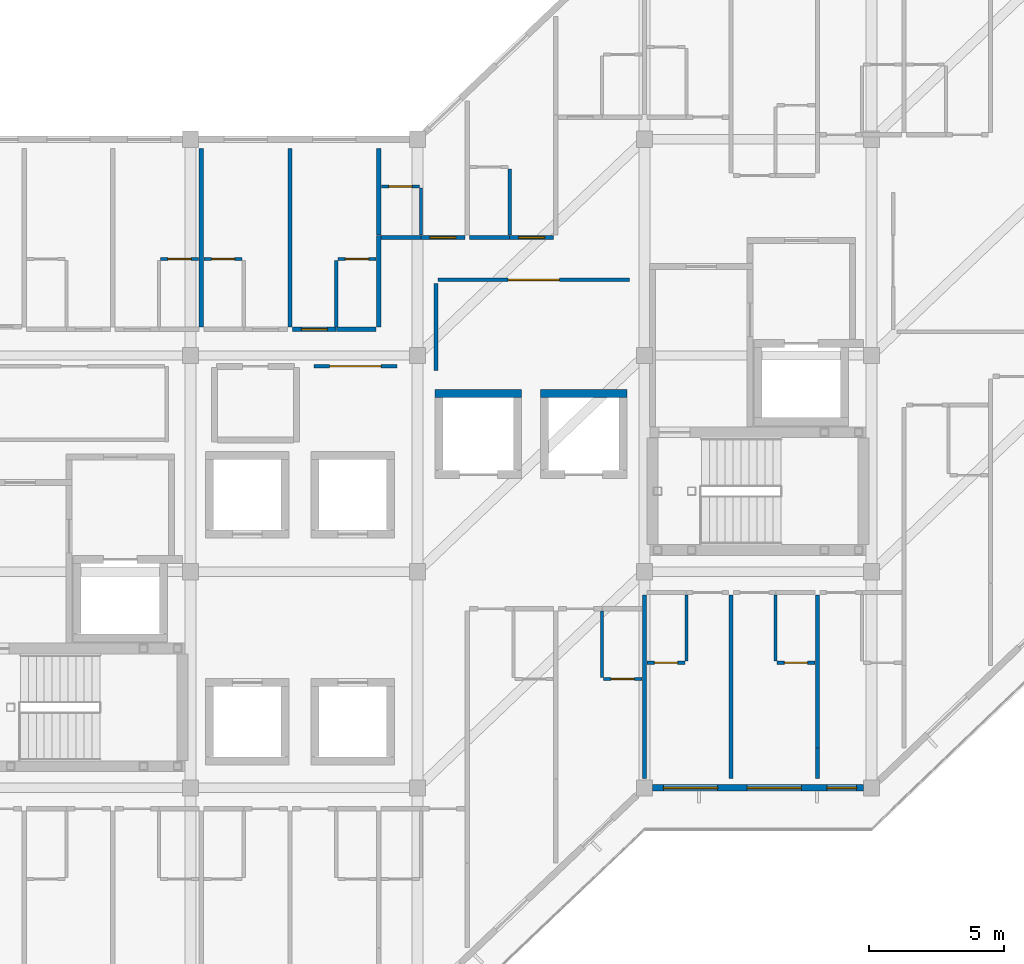
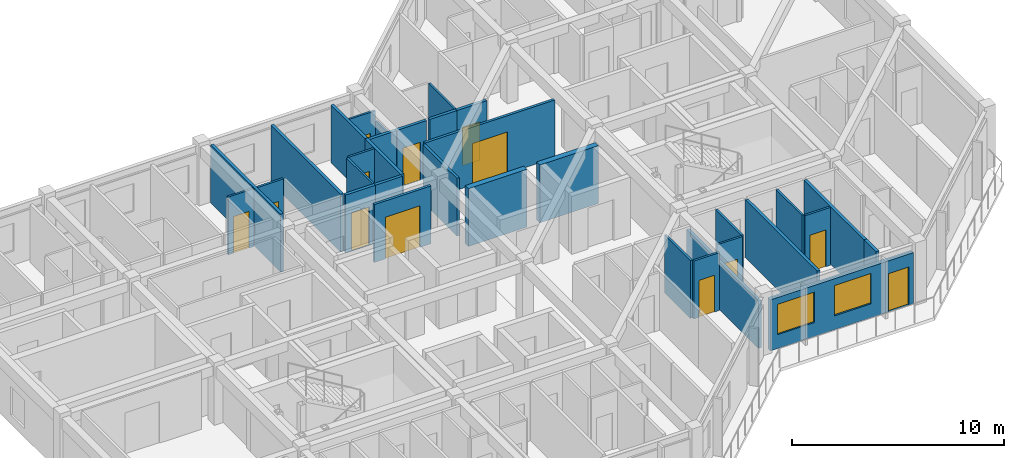
# One storey, part 8 of 14: 33 walls, 13 doors, 2 windows, 15 openings.
"""IFC4 building model written with IfcOpenShell, lengths in metres."""

from ifc_helpers import new_model, si_unit, direction, frame, frame_2d, origin, place, context, subcontext, project, spatial, rectangle, extrude, material, layer, layer_set, type_object, element, fill, save


model = new_model("IFC4")

# Units and contexts
model_context = context("Model", 3, precision=1e-05, world=origin(), true_north=direction((0.0, 1.0)))
body_context = subcontext(model_context, "Body", "Model", "MODEL_VIEW")
ifc_project = project(units=[si_unit("LENGTHUNIT", "METRE"), si_unit("AREAUNIT", "SQUARE_METRE"), si_unit("VOLUMEUNIT", "CUBIC_METRE"), si_unit("PLANEANGLEUNIT", "RADIAN"), si_unit("MASSUNIT", "GRAM", prefix="KILO")], contexts=[model_context])

# Site, building, storey
site_placement = place(None, origin())
site = spatial("IfcSite", under=ifc_project, at=site_placement, CompositionType="ELEMENT")
building_placement = place(site_placement, origin())
building = spatial("IfcBuilding", under=site, at=building_placement, Name="Naruveol Harbour Congress Hotel", CompositionType="ELEMENT")
storey_placement = place(building_placement, frame((0.0, 0.0, 39.60009765625)))
storey = spatial("IfcBuildingStorey", under=building, at=storey_placement, Name="L09", CompositionType="ELEMENT", Elevation=39.60009765625)

# Wall, opening, door
ifc_material_1 = material(Name="Acoustic Double Stud Gypsum", Category="gypsum")
ifc_layer_1 = layer(ifc_material_1, 0.139892578125)
ifc_layer_set_1 = layer_set([ifc_layer_1], Name="Acoustic Double Stud Gypsum")
wall_type_1 = type_object("IfcWallType", Name="ACOUSTIC MEETING PARTITION WALL 140", PredefinedType="PARTITIONING", material=ifc_layer_set_1)
wall_1_placement = place(storey_placement, frame((138.9599609375, 23.60009765625, 0.0), z_axis=(0.0, 0.0, 1.0), x_axis=(1.0, 0.0, 0.0)))
wall_1 = element("IfcWall", 1, at=wall_1_placement, inside=storey, type_object=wall_type_1, Name="Library Reading Lounge north entry wall PW-140", PredefinedType="PARTITIONING", context=body_context, shape_type="SweptSolid", body=[
    extrude(rectangle(XDim=3.080078125, YDim=0.139892578125, at=frame_2d((1.5400390625, 0.0))), origin(), (0.0, 0.0, 1.0), 3.3349609375),
])
opening_1_placement = place(wall_1_placement, frame((0.590087890625, 0.0, 0.0)))
opening_1 = element("IfcOpeningElement", 2, at=opening_1_placement, cuts=wall_1, Name="Opening ID-LG-128", PredefinedType="OPENING", context=body_context, shape_type="SweptSolid", body=[
    extrude(rectangle(XDim=1.89990234375, YDim=2.39990234375, at=frame_2d((0.949951171875, 1.199951171875))), frame((0.0, 0.079833984375, 0.0), z_axis=(0.0, -1.0, 0.0), x_axis=(1.0, 0.0, 0.0)), (0.0, 0.0, 1.0), 0.159912109375),
])
ifc_material_2 = material(Name="Timber & Steel Acoustic Leaf", Category="steel")
door_type_1 = type_object("IfcDoorType", Name="RESTAURANT AND LOUNGE GLAZED DOOR 1900X2400", OperationType="DOUBLE_DOOR_SINGLE_SWING", PredefinedType="DOOR", material=ifc_material_2)
door_1_placement = place(opening_1_placement, origin())
door_1 = element("IfcDoor", 3, at=door_1_placement, inside=storey, type_object=door_type_1, Name="Library Reading Lounge Entrance Door", OperationType="DOUBLE_DOOR_SINGLE_SWING", OverallHeight=2.39990234375, OverallWidth=1.89990234375, PredefinedType="DOOR", context=body_context, shape_type="SweptSolid", body=[
    extrude(rectangle(XDim=1.89990234375, YDim=2.39990234375, at=frame_2d((0.949951171875, 1.199951171875))), frame((0.0, 0.02490234375, 0.0), z_axis=(0.0, -1.0, 0.0), x_axis=(1.0, 0.0, 0.0)), (0.0, 0.0, 1.0), 0.050048828125),
])
fill(opening_1, door_1)

wall_2_placement = place(storey_placement, frame((143.56005859375, 26.800048828125, 0.0), z_axis=(0.0, 0.0, 1.0), x_axis=(1.0, 0.0, 0.0)))
wall_2 = element("IfcWall", 4, at=wall_2_placement, inside=storey, type_object=wall_type_1, Name="Harbour Study Salon north entry wall PW-140", PredefinedType="PARTITIONING", context=body_context, shape_type="SweptSolid", body=[
    extrude(rectangle(XDim=7.079833984375, YDim=0.139892578125, at=frame_2d((3.5400390625, 0.0))), origin(), (0.0, 0.0, 1.0), 3.3349609375),
])
opening_2_placement = place(wall_2_placement, frame((2.590087890625, 0.0, 0.0)))
opening_2 = element("IfcOpeningElement", 5, at=opening_2_placement, cuts=wall_2, Name="Opening ID-LG-131", PredefinedType="OPENING", context=body_context, shape_type="SweptSolid", body=[
    extrude(rectangle(XDim=1.89990234375, YDim=2.39990234375, at=frame_2d((0.949951171875, 1.199951171875))), frame((0.0, 0.079833984375, 0.0), z_axis=(0.0, -1.0, 0.0), x_axis=(1.0, 0.0, 0.0)), (0.0, 0.0, 1.0), 0.159912109375),
])
door_2_placement = place(opening_2_placement, origin())
door_2 = element("IfcDoor", 6, at=door_2_placement, inside=storey, type_object=door_type_1, Name="Harbour Study Salon Entrance Door", OperationType="DOUBLE_DOOR_SINGLE_SWING", OverallHeight=2.39990234375, OverallWidth=1.89990234375, PredefinedType="DOOR", context=body_context, shape_type="SweptSolid", body=[
    extrude(rectangle(XDim=1.89990234375, YDim=2.39990234375, at=frame_2d((0.949951171875, 1.199951171875))), frame((0.0, 0.02490234375, 0.0), z_axis=(0.0, -1.0, 0.0), x_axis=(1.0, 0.0, 0.0)), (0.0, 0.0, 1.0), 0.050048828125),
])
fill(opening_2, door_2)

# Wall
wall_3_placement = place(storey_placement, frame((143.47998046875, 23.449951171875, 0.0), z_axis=(0.0, 0.0, 1.0), x_axis=(0.0, 1.0, 0.0)))
element("IfcWall", 7, at=wall_3_placement, inside=storey, type_object=wall_type_1, Name="Harbour Study Salon west partition PW-140", PredefinedType="PARTITIONING", context=body_context, shape_type="SweptSolid", body=[
    extrude(rectangle(XDim=3.2099609375, YDim=0.139892578125, at=frame_2d((1.60498046875, 0.0))), origin(), (0.0, 0.0, 1.0), 3.3349609375),
])

# Wall, opening, door
ifc_material_3 = material(Name="Moisture-Resistant Gypsum Partition", Category="gypsum")
ifc_layer_2 = layer(ifc_material_3, 0.114990234375)
ifc_layer_set_2 = layer_set([ifc_layer_2], Name="Moisture-Resistant Gypsum Partition")
wall_type_2 = type_object("IfcWallType", Name="BATHROOM MOISTURE PARTITION WALL 115", PredefinedType="PARTITIONING", material=ifc_layer_set_2)
wall_4_placement = place(storey_placement, frame((133.2900390625, 27.570068359375, 0.0), z_axis=(0.0, 0.0, 1.0), x_axis=(1.0, 0.0, 0.0)))
wall_4 = element("IfcWall", 8, at=wall_4_placement, inside=storey, type_object=wall_type_2, Name="Bathroom north wall 1070 PW-115", PredefinedType="PARTITIONING", context=body_context, shape_type="SweptSolid", body=[
    extrude(rectangle(XDim=1.409912109375, YDim=0.114990234375, at=frame_2d((0.705078125, 0.0))), origin(), (0.0, 0.0, 1.0), 3.3349609375),
])
opening_3_placement = place(wall_4_placement, frame((0.27490234375, 0.0, 0.0)))
opening_3 = element("IfcOpeningElement", 9, at=opening_3_placement, cuts=wall_4, Name="Opening BD-RM1070", PredefinedType="OPENING", context=body_context, shape_type="SweptSolid", body=[
    extrude(rectangle(XDim=0.860107421875, YDim=2.1201171875, at=frame_2d((0.43017578125, 1.06005859375))), frame((0.0, 0.0673828125, 0.0), z_axis=(0.0, -1.0, 0.0), x_axis=(1.0, 0.0, 0.0)), (0.0, 0.0, 1.0), 0.135009765625),
])
ifc_material_4 = material(Name="Timber & Steel Acoustic Leaf", Category="steel")
door_type_2 = type_object("IfcDoorType", Name="GUEST BATHROOM DOOR 860X2120", OperationType="NOTDEFINED", PredefinedType="DOOR", material=ifc_material_4)
door_3_placement = place(opening_3_placement, origin())
door_3 = element("IfcDoor", 10, at=door_3_placement, inside=storey, type_object=door_type_2, Name="Bathroom Door 1070", OperationType="SINGLE_SWING_RIGHT", OverallHeight=2.1201171875, OverallWidth=0.860107421875, PredefinedType="DOOR", context=body_context, shape_type="SweptSolid", body=[
    extrude(rectangle(XDim=0.860107421875, YDim=2.1201171875, at=frame_2d((0.43017578125, 1.06005859375))), frame((0.0, 0.02490234375, 0.0), z_axis=(0.0, -1.0, 0.0), x_axis=(1.0, 0.0, 0.0)), (0.0, 0.0, 1.0), 0.050048828125),
])
fill(opening_3, door_3)

wall_5_placement = place(storey_placement, frame((134.89990234375, 27.570068359375, 0.0), z_axis=(0.0, 0.0, 1.0), x_axis=(1.0, 0.0, 0.0)))
wall_5 = element("IfcWall", 11, at=wall_5_placement, inside=storey, type_object=wall_type_2, Name="Bathroom north wall 1071 PW-115", PredefinedType="PARTITIONING", context=body_context, shape_type="SweptSolid", body=[
    extrude(rectangle(XDim=1.41015625, YDim=0.114990234375, at=frame_2d((0.705078125, 0.0))), origin(), (0.0, 0.0, 1.0), 3.3349609375),
])
opening_4_placement = place(wall_5_placement, frame((0.27490234375, 0.0, 0.0)))
opening_4 = element("IfcOpeningElement", 12, at=opening_4_placement, cuts=wall_5, Name="Opening BD-RM1071", PredefinedType="OPENING", context=body_context, shape_type="SweptSolid", body=[
    extrude(rectangle(XDim=0.860107421875, YDim=2.1201171875, at=frame_2d((0.43017578125, 1.06005859375))), frame((0.0, 0.0673828125, 0.0), z_axis=(0.0, -1.0, 0.0), x_axis=(1.0, 0.0, 0.0)), (0.0, 0.0, 1.0), 0.135009765625),
])
door_4_placement = place(opening_4_placement, origin())
door_4 = element("IfcDoor", 13, at=door_4_placement, inside=storey, type_object=door_type_2, Name="Bathroom Door 1071", OperationType="SINGLE_SWING_RIGHT", OverallHeight=2.1201171875, OverallWidth=0.860107421875, PredefinedType="DOOR", context=body_context, shape_type="SweptSolid", body=[
    extrude(rectangle(XDim=0.860107421875, YDim=2.1201171875, at=frame_2d((0.43017578125, 1.06005859375))), frame((0.0, 0.02490234375, 0.0), z_axis=(0.0, -1.0, 0.0), x_axis=(1.0, 0.0, 0.0)), (0.0, 0.0, 1.0), 0.050048828125),
])
fill(opening_4, door_4)

# Wall
wall_6_placement = place(storey_placement, frame((139.7900390625, 25.06005859375, 0.0), z_axis=(0.0, 0.0, 1.0), x_axis=(0.0, 1.0, 0.0)))
element("IfcWall", 14, at=wall_6_placement, inside=storey, type_object=wall_type_2, Name="Bathroom west wall 1072 PW-115", PredefinedType="PARTITIONING", context=body_context, shape_type="SweptSolid", body=[
    extrude(rectangle(XDim=2.449951171875, YDim=0.114990234375, at=frame_2d((1.22509765625, 0.0))), origin(), (0.0, 0.0, 1.0), 3.3349609375),
])

# Wall, opening, door
wall_7_placement = place(storey_placement, frame((139.85009765625, 27.570068359375, 0.0), z_axis=(0.0, 0.0, 1.0), x_axis=(1.0, 0.0, 0.0)))
wall_7 = element("IfcWall", 15, at=wall_7_placement, inside=storey, type_object=wall_type_2, Name="Bathroom north wall 1072 PW-115", PredefinedType="PARTITIONING", context=body_context, shape_type="SweptSolid", body=[
    extrude(rectangle(XDim=1.409912109375, YDim=0.114990234375, at=frame_2d((0.705078125, 0.0))), origin(), (0.0, 0.0, 1.0), 3.3349609375),
])
opening_5_placement = place(wall_7_placement, frame((0.27490234375, 0.0, 0.0)))
opening_5 = element("IfcOpeningElement", 16, at=opening_5_placement, cuts=wall_7, Name="Opening BD-RM1072", PredefinedType="OPENING", context=body_context, shape_type="SweptSolid", body=[
    extrude(rectangle(XDim=0.860107421875, YDim=2.1201171875, at=frame_2d((0.43017578125, 1.06005859375))), frame((0.0, 0.0673828125, 0.0), z_axis=(0.0, -1.0, 0.0), x_axis=(1.0, 0.0, 0.0)), (0.0, 0.0, 1.0), 0.135009765625),
])
door_5_placement = place(opening_5_placement, origin())
door_5 = element("IfcDoor", 17, at=door_5_placement, inside=storey, type_object=door_type_2, Name="Bathroom Door 1072", OperationType="SINGLE_SWING_RIGHT", OverallHeight=2.1201171875, OverallWidth=0.860107421875, PredefinedType="DOOR", context=body_context, shape_type="SweptSolid", body=[
    extrude(rectangle(XDim=0.860107421875, YDim=2.1201171875, at=frame_2d((0.43017578125, 1.06005859375))), frame((0.0, 0.02490234375, 0.0), z_axis=(0.0, -1.0, 0.0), x_axis=(1.0, 0.0, 0.0)), (0.0, 0.0, 1.0), 0.050048828125),
])
fill(opening_5, door_5)

# Wall
wall_8_placement = place(storey_placement, frame((142.929931640625, 28.4599609375, 0.0), z_axis=(0.0, 0.0, 1.0), x_axis=(0.0, 1.0, 0.0)))
element("IfcWall", 18, at=wall_8_placement, inside=storey, type_object=wall_type_2, Name="Bathroom east wall 1073 PW-115", PredefinedType="PARTITIONING", context=body_context, shape_type="SweptSolid", body=[
    extrude(rectangle(XDim=1.739990234375, YDim=0.114990234375, at=frame_2d((0.8701171875, 0.0))), origin(), (0.0, 0.0, 1.0), 2.739990234375),
])

# Wall, opening, door
wall_9_placement = place(storey_placement, frame((141.4599609375, 30.260009765625, 0.0), z_axis=(0.0, 0.0, 1.0), x_axis=(1.0, 0.0, 0.0)))
wall_9 = element("IfcWall", 19, at=wall_9_placement, inside=storey, type_object=wall_type_2, Name="Bathroom north wall 1073 PW-115", PredefinedType="PARTITIONING", context=body_context, shape_type="SweptSolid", body=[
    extrude(rectangle(XDim=1.41015625, YDim=0.114990234375, at=frame_2d((0.705078125, 0.0))), origin(), (0.0, 0.0, 1.0), 3.3349609375),
])
opening_6_placement = place(wall_9_placement, frame((0.27490234375, 0.0, 0.0)))
opening_6 = element("IfcOpeningElement", 20, at=opening_6_placement, cuts=wall_9, Name="Opening BD-RM1073", PredefinedType="OPENING", context=body_context, shape_type="SweptSolid", body=[
    extrude(rectangle(XDim=0.860107421875, YDim=2.1201171875, at=frame_2d((0.43017578125, 1.06005859375))), frame((0.0, 0.0673828125, 0.0), z_axis=(0.0, -1.0, 0.0), x_axis=(1.0, 0.0, 0.0)), (0.0, 0.0, 1.0), 0.135009765625),
])
door_6_placement = place(opening_6_placement, origin())
door_6 = element("IfcDoor", 21, at=door_6_placement, inside=storey, type_object=door_type_2, Name="Bathroom Door 1073", OperationType="SINGLE_SWING_RIGHT", OverallHeight=2.1201171875, OverallWidth=0.860107421875, PredefinedType="DOOR", context=body_context, shape_type="SweptSolid", body=[
    extrude(rectangle(XDim=0.860107421875, YDim=2.1201171875, at=frame_2d((0.43017578125, 1.06005859375))), frame((0.0, 0.02490234375, 0.0), z_axis=(0.0, -1.0, 0.0), x_axis=(1.0, 0.0, 0.0)), (0.0, 0.0, 1.0), 0.050048828125),
])
fill(opening_6, door_6)

# Walls
for number, where, z_axis, x_axis, name in (
    (22, (146.2099609375, 28.4599609375, 0.0), (0.0, 0.0, 1.0), (0.0, 1.0, 0.0), "Bathroom east wall 1074 PW-115"),
    (23, (149.6298828125, 12.090087890625, 0.0), (0.0, 0.0, 1.0), (0.0, 1.0, 0.0), "Bathroom west wall 1060 PW-115"),
):
    element("IfcWall", number, at=place(storey_placement, frame(where, z_axis=z_axis, x_axis=x_axis)), inside=storey, type_object=wall_type_2, Name=name, PredefinedType="PARTITIONING", context=body_context, shape_type="SweptSolid", body=[
        extrude(rectangle(XDim=2.449951171875, YDim=0.114990234375, at=frame_2d((1.22509765625, 0.0))), origin(), (0.0, 0.0, 1.0), 3.3349609375),
    ])

# Wall, opening, door
wall_10_placement = place(storey_placement, frame((149.68994140625, 12.030029296875, 0.0), z_axis=(0.0, 0.0, 1.0), x_axis=(1.0, 0.0, 0.0)))
wall_10 = element("IfcWall", 24, at=wall_10_placement, inside=storey, type_object=wall_type_2, Name="Bathroom south wall 1060 PW-115", PredefinedType="PARTITIONING", context=body_context, shape_type="SweptSolid", body=[
    extrude(rectangle(XDim=1.41015625, YDim=0.114990234375, at=frame_2d((0.705078125, 0.0))), origin(), (0.0, 0.0, 1.0), 3.3349609375),
])
opening_7_placement = place(wall_10_placement, frame((0.27490234375, 0.0, 0.0)))
opening_7 = element("IfcOpeningElement", 25, at=opening_7_placement, cuts=wall_10, Name="Opening BD-RM1060", PredefinedType="OPENING", context=body_context, shape_type="SweptSolid", body=[
    extrude(rectangle(XDim=0.860107421875, YDim=2.1201171875, at=frame_2d((0.43017578125, 1.06005859375))), frame((0.0, 0.0673828125, 0.0), z_axis=(0.0, -1.0, 0.0), x_axis=(1.0, 0.0, 0.0)), (0.0, 0.0, 1.0), 0.135009765625),
])
door_7_placement = place(opening_7_placement, origin())
door_7 = element("IfcDoor", 26, at=door_7_placement, inside=storey, type_object=door_type_2, Name="Bathroom Door 1060", OperationType="SINGLE_SWING_RIGHT", OverallHeight=2.1201171875, OverallWidth=0.860107421875, PredefinedType="DOOR", context=body_context, shape_type="SweptSolid", body=[
    extrude(rectangle(XDim=0.860107421875, YDim=2.1201171875, at=frame_2d((0.43017578125, 1.06005859375))), frame((0.0, 0.02490234375, 0.0), z_axis=(0.0, -1.0, 0.0), x_axis=(1.0, 0.0, 0.0)), (0.0, 0.0, 1.0), 0.050048828125),
])
fill(opening_7, door_7)

# Wall
wall_11_placement = place(storey_placement, frame((152.75, 12.68994140625, 0.0), z_axis=(0.0, 0.0, 1.0), x_axis=(0.0, 1.0, 0.0)))
element("IfcWall", 27, at=wall_11_placement, inside=storey, type_object=wall_type_2, Name="Bathroom east wall 1061 PW-115", PredefinedType="PARTITIONING", context=body_context, shape_type="SweptSolid", body=[
    extrude(rectangle(XDim=2.449951171875, YDim=0.114990234375, at=frame_2d((1.22509765625, 0.0))), origin(), (0.0, 0.0, 1.0), 3.3349609375),
])

# Wall, opening, door
wall_12_placement = place(storey_placement, frame((151.300048828125, 12.6298828125, 0.0), z_axis=(0.0, 0.0, 1.0), x_axis=(1.0, 0.0, 0.0)))
wall_12 = element("IfcWall", 28, at=wall_12_placement, inside=storey, type_object=wall_type_2, Name="Bathroom south wall 1061 PW-115", PredefinedType="PARTITIONING", context=body_context, shape_type="SweptSolid", body=[
    extrude(rectangle(XDim=1.389892578125, YDim=0.114990234375, at=frame_2d((0.69482421875, 0.0))), origin(), (0.0, 0.0, 1.0), 3.3349609375),
])
opening_8_placement = place(wall_12_placement, frame((0.264892578125, 0.0, 0.0)))
opening_8 = element("IfcOpeningElement", 29, at=opening_8_placement, cuts=wall_12, Name="Opening BD-RM1061", PredefinedType="OPENING", context=body_context, shape_type="SweptSolid", body=[
    extrude(rectangle(XDim=0.860107421875, YDim=2.1201171875, at=frame_2d((0.43017578125, 1.06005859375))), frame((0.0, 0.0673828125, 0.0), z_axis=(0.0, -1.0, 0.0), x_axis=(1.0, 0.0, 0.0)), (0.0, 0.0, 1.0), 0.135009765625),
])
door_8_placement = place(opening_8_placement, origin())
door_8 = element("IfcDoor", 30, at=door_8_placement, inside=storey, type_object=door_type_2, Name="Bathroom Door 1061", OperationType="SINGLE_SWING_RIGHT", OverallHeight=2.1201171875, OverallWidth=0.860107421875, PredefinedType="DOOR", context=body_context, shape_type="SweptSolid", body=[
    extrude(rectangle(XDim=0.860107421875, YDim=2.1201171875, at=frame_2d((0.43017578125, 1.06005859375))), frame((0.0, 0.02490234375, 0.0), z_axis=(0.0, -1.0, 0.0), x_axis=(1.0, 0.0, 0.0)), (0.0, 0.0, 1.0), 0.050048828125),
])
fill(opening_8, door_8)

# Wall
wall_13_placement = place(storey_placement, frame((156.050048828125, 12.68994140625, 0.0), z_axis=(0.0, 0.0, 1.0), x_axis=(0.0, 1.0, 0.0)))
element("IfcWall", 31, at=wall_13_placement, inside=storey, type_object=wall_type_2, Name="Bathroom west wall 1062 PW-115", PredefinedType="PARTITIONING", context=body_context, shape_type="SweptSolid", body=[
    extrude(rectangle(XDim=2.449951171875, YDim=0.114990234375, at=frame_2d((1.22509765625, 0.0))), origin(), (0.0, 0.0, 1.0), 3.3349609375),
])

# Wall, opening, door
wall_14_placement = place(storey_placement, frame((156.110107421875, 12.6298828125, 0.0), z_axis=(0.0, 0.0, 1.0), x_axis=(1.0, 0.0, 0.0)))
wall_14 = element("IfcWall", 32, at=wall_14_placement, inside=storey, type_object=wall_type_2, Name="Bathroom south wall 1062 PW-115", PredefinedType="PARTITIONING", context=body_context, shape_type="SweptSolid", body=[
    extrude(rectangle(XDim=1.389892578125, YDim=0.114990234375, at=frame_2d((0.69482421875, 0.0))), origin(), (0.0, 0.0, 1.0), 3.3349609375),
])
opening_9_placement = place(wall_14_placement, frame((0.264892578125, 0.0, 0.0)))
opening_9 = element("IfcOpeningElement", 33, at=opening_9_placement, cuts=wall_14, Name="Opening BD-RM1062", PredefinedType="OPENING", context=body_context, shape_type="SweptSolid", body=[
    extrude(rectangle(XDim=0.860107421875, YDim=2.1201171875, at=frame_2d((0.43017578125, 1.06005859375))), frame((0.0, 0.0673828125, 0.0), z_axis=(0.0, -1.0, 0.0), x_axis=(1.0, 0.0, 0.0)), (0.0, 0.0, 1.0), 0.135009765625),
])
door_9_placement = place(opening_9_placement, origin())
door_9 = element("IfcDoor", 34, at=door_9_placement, inside=storey, type_object=door_type_2, Name="Bathroom Door 1062", OperationType="SINGLE_SWING_RIGHT", OverallHeight=2.1201171875, OverallWidth=0.860107421875, PredefinedType="DOOR", context=body_context, shape_type="SweptSolid", body=[
    extrude(rectangle(XDim=0.860107421875, YDim=2.1201171875, at=frame_2d((0.43017578125, 1.06005859375))), frame((0.0, 0.02490234375, 0.0), z_axis=(0.0, -1.0, 0.0), x_axis=(1.0, 0.0, 0.0)), (0.0, 0.0, 1.0), 0.050048828125),
])
fill(opening_9, door_9)

# Wall
ifc_material_5 = material(Name="Autoclaved Aerated Concrete Block", Category="concrete")
ifc_layer_3 = layer(ifc_material_5, 0.159912109375)
ifc_layer_set_3 = layer_set([ifc_layer_3], Name="Autoclaved Aerated Concrete Block")
wall_type_3 = type_object("IfcWallType", Name="HOTEL PARTY AND CORRIDOR WALL 160 EI60", PredefinedType="PARTITIONING", material=ifc_layer_set_3)
wall_15_placement = place(storey_placement, frame((134.800048828125, 25.06005859375, 0.0), z_axis=(0.0, 0.0, 1.0), x_axis=(0.0, 1.0, 0.0)))
element("IfcWall", 35, at=wall_15_placement, inside=storey, type_object=wall_type_3, Name="Hotel party wall 1071 PW-160", PredefinedType="PARTITIONING", context=body_context, shape_type="SweptSolid", body=[
    extrude(rectangle(XDim=6.599853515625, YDim=0.159912109375, at=frame_2d((3.2998046875, 0.0))), origin(), (0.0, 0.0, 1.0), 3.3349609375),
])

# Wall, opening, door
wall_16_placement = place(storey_placement, frame((138.169921875, 24.969970703125, 0.0), z_axis=(0.0, 0.0, 1.0), x_axis=(1.0, 0.0, 0.0)))
wall_16 = element("IfcWall", 36, at=wall_16_placement, inside=storey, type_object=wall_type_3, Name="Corridor entry wall 1072 PW-160", PredefinedType="PARTITIONING", context=body_context, shape_type="SweptSolid", body=[
    extrude(rectangle(XDim=1.6201171875, YDim=0.159912109375, at=frame_2d((0.81005859375, 0.0))), origin(), (0.0, 0.0, 1.0), 3.3349609375),
])
opening_10_placement = place(wall_16_placement, frame((0.330078125, 0.0, 0.0)))
opening_10 = element("IfcOpeningElement", 37, at=opening_10_placement, cuts=wall_16, Name="Opening FD-RM1072", PredefinedType="OPENING", context=body_context, shape_type="SweptSolid", body=[
    extrude(rectangle(XDim=0.9599609375, YDim=2.199951171875, at=frame_2d((0.47998046875, 1.10009765625))), frame((0.0, 0.08984375, 0.0), z_axis=(0.0, -1.0, 0.0), x_axis=(1.0, 0.0, 0.0)), (0.0, 0.0, 1.0), 0.179931640625),
])
ifc_material_6 = material(Name="Timber & Steel Acoustic Leaf", Category="steel")
door_type_3 = type_object("IfcDoorType", Name="GUEST ROOM ENTRANCE FIRE DOOR 960X2200", OperationType="NOTDEFINED", PredefinedType="DOOR", material=ifc_material_6)
door_10_placement = place(opening_10_placement, origin())
door_10 = element("IfcDoor", 38, at=door_10_placement, inside=storey, type_object=door_type_3, Name="Hotel Room Door 1072", OperationType="SINGLE_SWING_LEFT", OverallHeight=2.199951171875, OverallWidth=0.9599609375, PredefinedType="DOOR", context=body_context, shape_type="SweptSolid", body=[
    extrude(rectangle(XDim=0.9599609375, YDim=2.199951171875, at=frame_2d((0.47998046875, 1.10009765625))), frame((0.0, 0.02490234375, 0.0), z_axis=(0.0, -1.0, 0.0), x_axis=(1.0, 0.0, 0.0)), (0.0, 0.0, 1.0), 0.050048828125),
])
fill(opening_10, door_10)

# Walls
wall_17_placement = place(storey_placement, frame((139.800048828125, 24.969970703125, 0.0), z_axis=(0.0, 0.0, 1.0), x_axis=(1.0, 0.0, 0.0)))
element("IfcWall", 39, at=wall_17_placement, inside=storey, type_object=wall_type_3, Name="Corridor wall 1072B PW-160", PredefinedType="PARTITIONING", context=body_context, shape_type="SweptSolid", body=[
    extrude(rectangle(XDim=1.469970703125, YDim=0.159912109375, at=frame_2d((0.73486328125, 0.0))), origin(), (0.0, 0.0, 1.0), 3.3349609375),
])
wall_18_placement = place(storey_placement, frame((138.080078125, 25.06005859375, 0.0), z_axis=(0.0, 0.0, 1.0), x_axis=(0.0, 1.0, 0.0)))
element("IfcWall", 40, at=wall_18_placement, inside=storey, type_object=wall_type_3, Name="Hotel party wall 1072 PW-160", PredefinedType="PARTITIONING", context=body_context, shape_type="SweptSolid", body=[
    extrude(rectangle(XDim=6.599853515625, YDim=0.159912109375, at=frame_2d((3.2998046875, 0.0))), origin(), (0.0, 0.0, 1.0), 3.3349609375),
])
wall_19_placement = place(storey_placement, frame((141.360107421875, 25.06005859375, 0.0), z_axis=(0.0, 0.0, 1.0), x_axis=(0.0, 1.0, 0.0)))
element("IfcWall", 41, at=wall_19_placement, inside=storey, type_object=wall_type_3, Name="Hotel end party wall 1072 PW-160", PredefinedType="PARTITIONING", context=body_context, shape_type="SweptSolid", body=[
    extrude(rectangle(XDim=3.389892578125, YDim=0.159912109375, at=frame_2d((1.69482421875, 0.0))), origin(), (0.0, 0.0, 1.0), 3.3349609375),
])
wall_20_placement = place(storey_placement, frame((141.449951171875, 28.3701171875, 0.0), z_axis=(0.0, 0.0, 1.0), x_axis=(1.0, 0.0, 0.0)))
element("IfcWall", 42, at=wall_20_placement, inside=storey, type_object=wall_type_3, Name="Corridor wall 1073B PW-160", PredefinedType="PARTITIONING", context=body_context, shape_type="SweptSolid", body=[
    extrude(rectangle(XDim=1.469970703125, YDim=0.159912109375, at=frame_2d((0.73486328125, 0.0))), origin(), (0.0, 0.0, 1.0), 3.3349609375),
])

# Wall, opening, door
wall_21_placement = place(storey_placement, frame((142.929931640625, 28.3701171875, 0.0), z_axis=(0.0, 0.0, 1.0), x_axis=(1.0, 0.0, 0.0)))
wall_21 = element("IfcWall", 43, at=wall_21_placement, inside=storey, type_object=wall_type_3, Name="Corridor entry wall 1073 PW-160", PredefinedType="PARTITIONING", context=body_context, shape_type="SweptSolid", body=[
    extrude(rectangle(XDim=1.6201171875, YDim=0.159912109375, at=frame_2d((0.81005859375, 0.0))), origin(), (0.0, 0.0, 1.0), 3.3349609375),
])
opening_11_placement = place(wall_21_placement, frame((0.330078125, 0.0, 0.0)))
opening_11 = element("IfcOpeningElement", 44, at=opening_11_placement, cuts=wall_21, Name="Opening FD-RM1073", PredefinedType="OPENING", context=body_context, shape_type="SweptSolid", body=[
    extrude(rectangle(XDim=0.9599609375, YDim=2.199951171875, at=frame_2d((0.47998046875, 1.10009765625))), frame((0.0, 0.08984375, 0.0), z_axis=(0.0, -1.0, 0.0), x_axis=(1.0, 0.0, 0.0)), (0.0, 0.0, 1.0), 0.179931640625),
])
door_11_placement = place(opening_11_placement, origin())
door_11 = element("IfcDoor", 45, at=door_11_placement, inside=storey, type_object=door_type_3, Name="Hotel Room Door 1073", OperationType="SINGLE_SWING_LEFT", OverallHeight=2.199951171875, OverallWidth=0.9599609375, PredefinedType="DOOR", context=body_context, shape_type="SweptSolid", body=[
    extrude(rectangle(XDim=0.9599609375, YDim=2.199951171875, at=frame_2d((0.47998046875, 1.10009765625))), frame((0.0, 0.02490234375, 0.0), z_axis=(0.0, -1.0, 0.0), x_axis=(1.0, 0.0, 0.0)), (0.0, 0.0, 1.0), 0.050048828125),
])
fill(opening_11, door_11)

# Walls
wall_22_placement = place(storey_placement, frame((141.360107421875, 28.4599609375, 0.0), z_axis=(0.0, 0.0, 1.0), x_axis=(0.0, 1.0, 0.0)))
element("IfcWall", 46, at=wall_22_placement, inside=storey, type_object=wall_type_3, Name="Hotel party wall 1073 PW-160", PredefinedType="PARTITIONING", context=body_context, shape_type="SweptSolid", body=[
    extrude(rectangle(XDim=3.199951171875, YDim=0.159912109375, at=frame_2d((1.60009765625, 0.0))), origin(), (0.0, 0.0, 1.0), 3.3349609375),
])
wall_23_placement = place(storey_placement, frame((144.72998046875, 28.3701171875, 0.0), z_axis=(0.0, 0.0, 1.0), x_axis=(1.0, 0.0, 0.0)))
element("IfcWall", 47, at=wall_23_placement, inside=storey, type_object=wall_type_3, Name="Corridor wall 1074B PW-160", PredefinedType="PARTITIONING", context=body_context, shape_type="SweptSolid", body=[
    extrude(rectangle(XDim=1.469970703125, YDim=0.159912109375, at=frame_2d((0.73486328125, 0.0))), origin(), (0.0, 0.0, 1.0), 3.3349609375),
])

# Wall, opening, door
wall_24_placement = place(storey_placement, frame((146.2099609375, 28.3701171875, 0.0), z_axis=(0.0, 0.0, 1.0), x_axis=(1.0, 0.0, 0.0)))
wall_24 = element("IfcWall", 48, at=wall_24_placement, inside=storey, type_object=wall_type_3, Name="Corridor entry wall 1074 PW-160", PredefinedType="PARTITIONING", context=body_context, shape_type="SweptSolid", body=[
    extrude(rectangle(XDim=1.6201171875, YDim=0.159912109375, at=frame_2d((0.81005859375, 0.0))), origin(), (0.0, 0.0, 1.0), 3.3349609375),
])
opening_12_placement = place(wall_24_placement, frame((0.330078125, 0.0, 0.0)))
opening_12 = element("IfcOpeningElement", 49, at=opening_12_placement, cuts=wall_24, Name="Opening FD-RM1074", PredefinedType="OPENING", context=body_context, shape_type="SweptSolid", body=[
    extrude(rectangle(XDim=0.9599609375, YDim=2.199951171875, at=frame_2d((0.47998046875, 1.10009765625))), frame((0.0, 0.08984375, 0.0), z_axis=(0.0, -1.0, 0.0), x_axis=(1.0, 0.0, 0.0)), (0.0, 0.0, 1.0), 0.179931640625),
])
door_12_placement = place(opening_12_placement, origin())
door_12 = element("IfcDoor", 50, at=door_12_placement, inside=storey, type_object=door_type_3, Name="Hotel Room Door 1074", OperationType="SINGLE_SWING_LEFT", OverallHeight=2.199951171875, OverallWidth=0.9599609375, PredefinedType="DOOR", context=body_context, shape_type="SweptSolid", body=[
    extrude(rectangle(XDim=0.9599609375, YDim=2.199951171875, at=frame_2d((0.47998046875, 1.10009765625))), frame((0.0, 0.02490234375, 0.0), z_axis=(0.0, -1.0, 0.0), x_axis=(1.0, 0.0, 0.0)), (0.0, 0.0, 1.0), 0.050048828125),
])
fill(opening_12, door_12)

# Walls
wall_25_placement = place(storey_placement, frame((151.199951171875, 8.340087890625, 0.0), z_axis=(0.0, 0.0, 1.0), x_axis=(0.0, 1.0, 0.0)))
element("IfcWall", 51, at=wall_25_placement, inside=storey, type_object=wall_type_3, Name="Hotel party wall 1061 PW-160", PredefinedType="PARTITIONING", context=body_context, shape_type="SweptSolid", body=[
    extrude(rectangle(XDim=6.7998046875, YDim=0.159912109375, at=frame_2d((3.39990234375, 0.0))), origin(), (0.0, 0.0, 1.0), 2.739990234375),
])
wall_26_placement = place(storey_placement, frame((154.39990234375, 8.340087890625, 0.0), z_axis=(0.0, 0.0, 1.0), x_axis=(0.0, 1.0, 0.0)))
element("IfcWall", 52, at=wall_26_placement, inside=storey, type_object=wall_type_3, Name="Hotel party wall 1062 PW-160", PredefinedType="PARTITIONING", context=body_context, shape_type="SweptSolid", body=[
    extrude(rectangle(XDim=6.7998046875, YDim=0.159912109375, at=frame_2d((3.39990234375, 0.0))), origin(), (0.0, 0.0, 1.0), 3.3349609375),
])
wall_27_placement = place(storey_placement, frame((157.60009765625, 8.340087890625, 0.0), z_axis=(0.0, 0.0, 1.0), x_axis=(0.0, 1.0, 0.0)))
element("IfcWall", 53, at=wall_27_placement, inside=storey, type_object=wall_type_3, Name="Hotel end party wall 1062 PW-160", PredefinedType="PARTITIONING", context=body_context, shape_type="SweptSolid", body=[
    extrude(rectangle(XDim=1.1298828125, YDim=0.159912109375, at=frame_2d((0.56494140625, 0.0))), origin(), (0.0, 0.0, 1.0), 3.3349609375),
])
wall_28_placement = place(storey_placement, frame((157.60009765625, 9.47998046875, 0.0), z_axis=(0.0, 0.0, 1.0), x_axis=(0.0, 1.0, 0.0)))
element("IfcWall", 54, at=wall_28_placement, inside=storey, type_object=wall_type_3, Name="Hotel party wall 1063 PW-160", PredefinedType="PARTITIONING", context=body_context, shape_type="SweptSolid", body=[
    extrude(rectangle(XDim=5.659912109375, YDim=0.159912109375, at=frame_2d((2.830078125, 0.0))), origin(), (0.0, 0.0, 1.0), 3.3349609375),
])

# Wall, openings, windows, door
ifc_material_7 = material(Name="Concrete C40/50", Category="concrete")
ifc_layer_4 = layer(ifc_material_7, 0.239990234375)
ifc_layer_set_4 = layer_set([ifc_layer_4], Name="Concrete C40/50")
wall_type_4 = type_object("IfcWallType", Name="INSULATED HOTEL SPANDREL WALL 240", PredefinedType="SOLIDWALL", material=ifc_layer_set_4)
wall_29_placement = place(storey_placement, frame((159.300048828125, 8.0, 0.0), z_axis=(0.0, 0.0, 1.0), x_axis=(-1.0, 0.0, 0.0)))
wall_29 = element("IfcWall", 55, at=wall_29_placement, inside=storey, type_object=wall_type_4, Name="Hotel south waterfront wall L09 EW-240", PredefinedType="SOLIDWALL", context=body_context, shape_type="SweptSolid", body=[
    extrude(rectangle(XDim=7.800048828125, YDim=0.239990234375, at=frame_2d((3.89990234375, 0.0))), origin(), (0.0, 0.0, 1.0), 2.93994140625),
])
opening_13_placement = place(wall_29_placement, frame((0.25, 0.0, 0.0)))
opening_13 = element("IfcOpeningElement", 56, at=opening_13_placement, cuts=wall_29, Name="Opening BD-110-071", PredefinedType="OPENING", context=body_context, shape_type="SweptSolid", body=[
    extrude(rectangle(XDim=1.10009765625, YDim=2.199951171875, at=frame_2d((0.550048828125, 1.10009765625))), frame((0.0, 0.1298828125, 0.0), z_axis=(0.0, -1.0, 0.0), x_axis=(1.0, 0.0, 0.0)), (0.0, 0.0, 1.0), 0.260009765625),
])
opening_14_placement = place(wall_29_placement, frame((2.300048828125, 0.0, 0.800048828125)))
opening_14 = element("IfcOpeningElement", 57, at=opening_14_placement, cuts=wall_29, Name="Opening W-05", PredefinedType="OPENING", context=body_context, shape_type="SweptSolid", body=[
    extrude(rectangle(XDim=2.0, YDim=1.75, at=frame_2d((1.0, 0.875))), frame((0.0, 0.1298828125, 0.0), z_axis=(0.0, -1.0, 0.0), x_axis=(1.0, 0.0, 0.0)), (0.0, 0.0, 1.0), 0.260009765625),
])
opening_15_placement = place(wall_29_placement, frame((5.39990234375, 0.0, 0.800048828125)))
opening_15 = element("IfcOpeningElement", 58, at=opening_15_placement, cuts=wall_29, Name="Opening W-05", PredefinedType="OPENING", context=body_context, shape_type="SweptSolid", body=[
    extrude(rectangle(XDim=2.0, YDim=1.75, at=frame_2d((1.0, 0.875))), frame((0.0, 0.1298828125, 0.0), z_axis=(0.0, -1.0, 0.0), x_axis=(1.0, 0.0, 0.0)), (0.0, 0.0, 1.0), 0.260009765625),
])
ifc_material_8 = material(Name="Low-E Triple Glazing in Thermal Aluminium", Category="aluminium")
window_type = type_object("IfcWindowType", Name="GARDEN SUITE WINDOW 2000X1750", PartitioningType="DOUBLE_PANEL_VERTICAL", PredefinedType="WINDOW", material=ifc_material_8)
window_1_placement = place(opening_14_placement, origin())
window_1 = element("IfcWindow", 59, at=window_1_placement, inside=storey, type_object=window_type, Name="Window W-05 #463", OverallHeight=1.75, OverallWidth=2.0, PartitioningType="DOUBLE_PANEL_VERTICAL", PredefinedType="WINDOW", context=body_context, shape_type="SweptSolid", body=[
    extrude(rectangle(XDim=2.0, YDim=1.75, at=frame_2d((1.0, 0.875))), frame((0.0, 0.030029296875, 0.0), z_axis=(0.0, -1.0, 0.0), x_axis=(1.0, 0.0, 0.0)), (0.0, 0.0, 1.0), 0.06005859375),
])
fill(opening_14, window_1)
window_2_placement = place(opening_15_placement, origin())
window_2 = element("IfcWindow", 60, at=window_2_placement, inside=storey, type_object=window_type, Name="Window W-05 #464", OverallHeight=1.75, OverallWidth=2.0, PartitioningType="DOUBLE_PANEL_VERTICAL", PredefinedType="WINDOW", context=body_context, shape_type="SweptSolid", body=[
    extrude(rectangle(XDim=2.0, YDim=1.75, at=frame_2d((1.0, 0.875))), frame((0.0, 0.030029296875, 0.0), z_axis=(0.0, -1.0, 0.0), x_axis=(1.0, 0.0, 0.0)), (0.0, 0.0, 1.0), 0.06005859375),
])
fill(opening_15, window_2)
ifc_material_9 = material(Name="Powder-Coated Steel & Insulated Glazing", Category="steel")
door_type_4 = type_object("IfcDoorType", Name="HOTEL BALCONY GLAZED DOOR 1100X2200", OperationType="NOTDEFINED", PredefinedType="DOOR", material=ifc_material_9)
door_13_placement = place(opening_13_placement, origin())
door_13 = element("IfcDoor", 61, at=door_13_placement, inside=storey, type_object=door_type_4, Name="Exterior door BD-110-071", OperationType="SINGLE_SWING_LEFT", OverallHeight=2.199951171875, OverallWidth=1.10009765625, PredefinedType="DOOR", context=body_context, shape_type="SweptSolid", body=[
    extrude(rectangle(XDim=1.10009765625, YDim=2.199951171875, at=frame_2d((0.550048828125, 1.10009765625))), frame((0.0, 0.02490234375, 0.0), z_axis=(0.0, -1.0, 0.0), x_axis=(1.0, 0.0, 0.0)), (0.0, 0.0, 1.0), 0.050048828125),
])
fill(opening_13, door_13)

# Walls
ifc_material_10 = material(Name="Concrete C50/60", Category="concrete")
ifc_layer_5 = layer(ifc_material_10, 0.300048828125)
ifc_layer_set_5 = layer_set([ifc_layer_5], Name="Concrete C50/60")
wall_type_5 = type_object("IfcWallType", Name="RC STAIR AND HOISTWAY SHEAR WALL 300 EI120", PredefinedType="SHEAR", material=ifc_layer_set_5)
for number, where, z_axis, x_axis, name in (
    (62, (146.64990234375, 22.60009765625, 0.0), (0.0, 0.0, 1.0), (-1.0, 0.0, 0.0), "Hoistway north shear wall GL1 SW-300"),
    (63, (150.550048828125, 22.60009765625, 0.0), (0.0, 0.0, 1.0), (-1.0, 0.0, 0.0), "Hoistway north shear wall GL2 SW-300"),
):
    element("IfcWall", number, at=place(storey_placement, frame(where, z_axis=z_axis, x_axis=x_axis)), inside=storey, type_object=wall_type_5, Name=name, PredefinedType="SHEAR", context=body_context, shape_type="SweptSolid", body=[
        extrude(rectangle(XDim=3.199951171875, YDim=0.300048828125, at=frame_2d((1.60009765625, 0.0))), origin(), (0.0, 0.0, 1.0), 3.3349609375),
    ])

save(model, "model.ifc")
